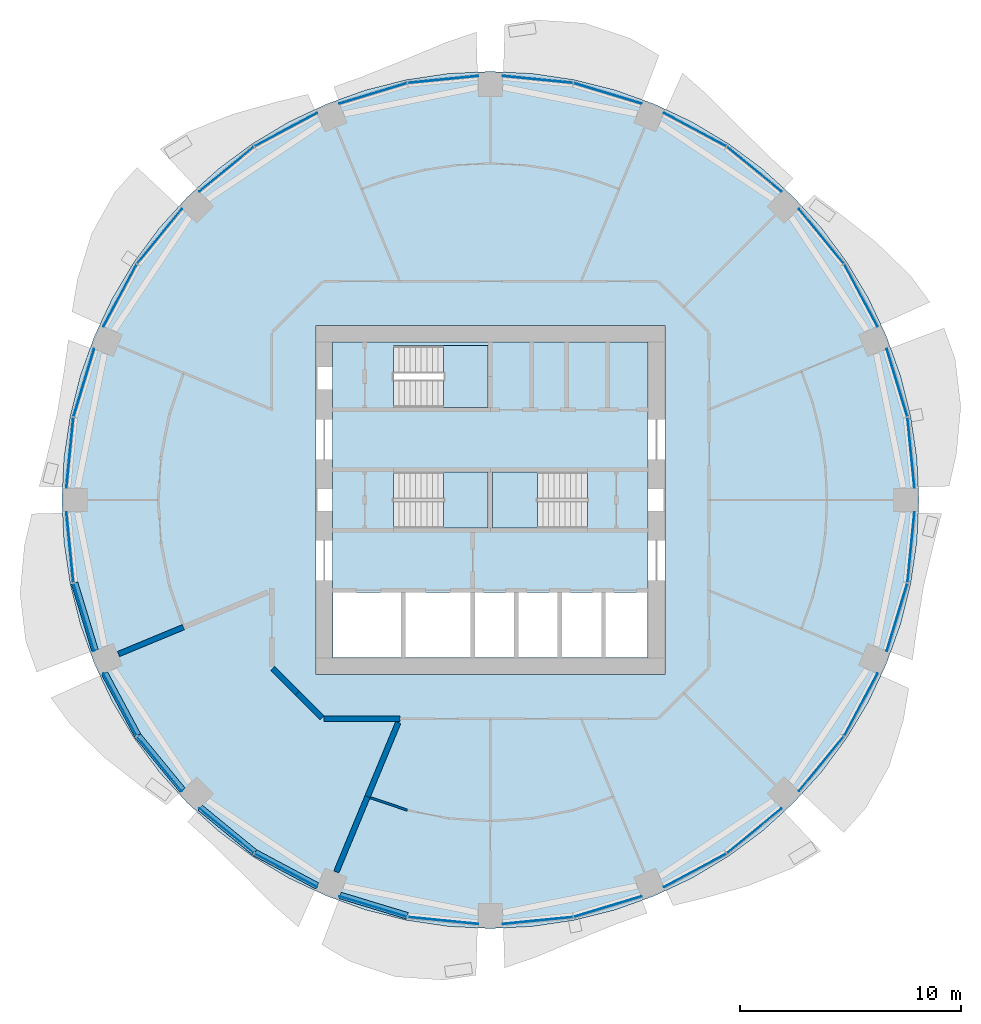
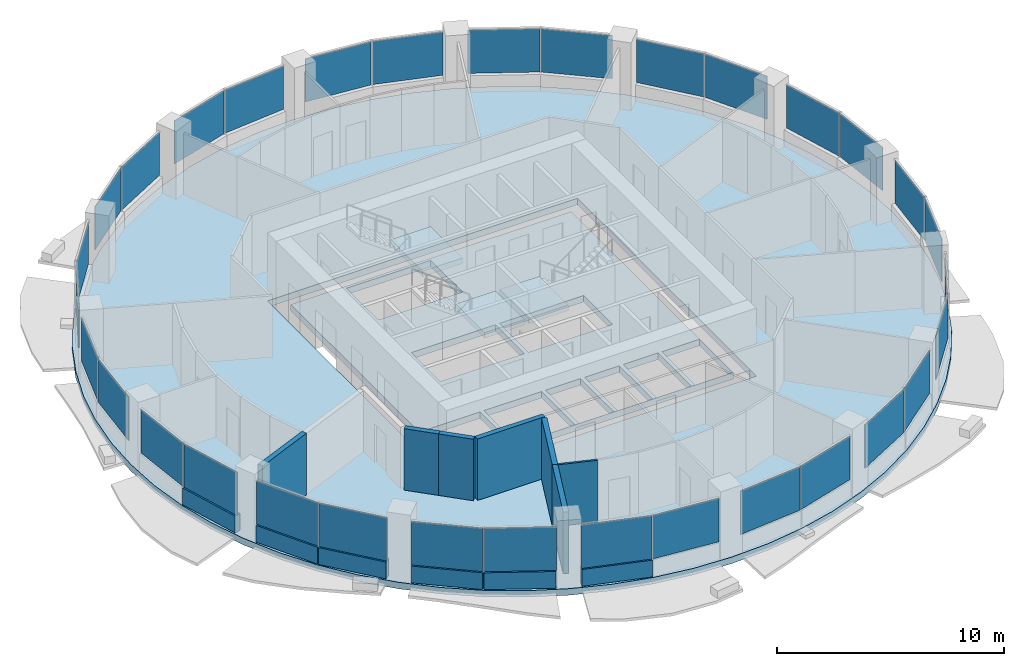
# One storey, part 7 of 15: 32 plates, 13 walls, 5 slabs, 19 elements without a shape of their own.
"""IFC4 building model written with IfcOpenShell, lengths in metres."""

import ifcopenshell
import ifcopenshell.guid

model = None  # the IFC model being written
_history = None  # IfcOwnerHistory: only IFC2X3 demands one
_inside = {}  # id of a spatial element -> (the spatial element, [elements in it])
_under = {}  # id of a project, library or spatial element -> (it, [spatial elements below it])
_declared = {}  # id of a project -> (the project, [libraries it declares])
_typed = {}  # id of a type object -> (the type object, [elements of that type])
_made_of = {}  # id of a material, layer set ... -> (it, [elements and type objects made of it])


def new_model(schema):
    """Start an empty IFC model of exactly this schema.

    Asked for "IFC4X3", IfcOpenShell would pick the latest addendum, in which some entities
    have other attributes; the version numbers below select the first issue.
    IFC2X3 requires an IfcOwnerHistory on every rooted entity: one is made here for all.
    """
    global model, _history
    if schema == "IFC4X3":
        model = ifcopenshell.file(schema_version=(4, 3, 0, 0))
    else:
        model = ifcopenshell.file(schema=schema)
    _inside.clear()
    _under.clear()
    _declared.clear()
    _typed.clear()
    _made_of.clear()
    _history = None
    if model.schema == "IFC2X3":
        org = make("IfcOrganization", Name="unknown")
        user = make(
            "IfcPersonAndOrganization",
            ThePerson=make("IfcPerson", FamilyName="unknown"),
            TheOrganization=org,
        )
        app = make(
            "IfcApplication",
            ApplicationDeveloper=org,
            Version="unknown",
            ApplicationFullName="unknown",
            ApplicationIdentifier="unknown",
        )
        _history = make(
            "IfcOwnerHistory",
            OwningUser=user,
            OwningApplication=app,
            ChangeAction="ADDED",
            CreationDate=0,
        )
    return model


def make(cls, **values):
    """One entity of the class cls with the attributes given. An attribute that is None is left unset."""
    return model.create_entity(
        cls, **{name: value for name, value in values.items() if value is not None}
    )


def rooted(cls, **values):
    """An entity with a GlobalId (a new one), such as an element, a storey or a relation."""
    return make(cls, GlobalId=ifcopenshell.guid.new(), OwnerHistory=_history, **values)


def si_unit(unit_type, name, prefix=None):
    """IfcSIUnit, for example si_unit("LENGTHUNIT", "METRE", prefix="MILLI")."""
    return make("IfcSIUnit", UnitType=unit_type, Prefix=prefix, Name=name)


def assignment(units):
    """IfcUnitAssignment: the units of a project."""
    return None if units is None else make("IfcUnitAssignment", Units=units)


def point(xyz):
    """IfcCartesianPoint."""
    return None if xyz is None else make("IfcCartesianPoint", Coordinates=xyz)


def direction(xyz):
    """IfcDirection."""
    return None if xyz is None else make("IfcDirection", DirectionRatios=xyz)


def frame(location, z_axis=None, x_axis=None):
    """IfcAxis2Placement3D, a coordinate frame: its origin and axes. An axis left out is left unset."""
    return make(
        "IfcAxis2Placement3D",
        Location=point(location),
        Axis=direction(z_axis),
        RefDirection=direction(x_axis),
    )


def frame_2d(location, x_axis=None):
    """IfcAxis2Placement2D, a coordinate frame in the plane: its origin and x axis."""
    return make(
        "IfcAxis2Placement2D", Location=point(location), RefDirection=direction(x_axis)
    )


def origin():
    """The frame at (0, 0, 0) with its axes left unset."""
    return frame((0.0, 0.0, 0.0))


def origin_2d():
    """The frame at (0, 0) in the plane with its x axis left unset."""
    return frame_2d((0.0, 0.0))


def place(relative_to, where):
    """IfcLocalPlacement: puts the frame where relative to a parent placement (None: the world)."""
    return make(
        "IfcLocalPlacement", PlacementRelTo=relative_to, RelativePlacement=where
    )


def context(
    kind, dimensions, precision=None, world=None, true_north=None, identifier=None
):
    """IfcGeometricRepresentationContext, for example the 3D "Model" context."""
    return make(
        "IfcGeometricRepresentationContext",
        ContextIdentifier=identifier,
        ContextType=kind,
        CoordinateSpaceDimension=dimensions,
        Precision=precision,
        WorldCoordinateSystem=world,
        TrueNorth=true_north,
    )


def subcontext(parent, identifier, kind, view, scale=None):
    """IfcGeometricRepresentationSubContext, for example "Body" below "Model"."""
    return make(
        "IfcGeometricRepresentationSubContext",
        ContextIdentifier=identifier,
        ContextType=kind,
        ParentContext=parent,
        TargetScale=scale,
        TargetView=view,
    )


def project(units=None, contexts=None):
    """IfcProject with its units and contexts."""
    return rooted(
        "IfcProject",
        Name="project",
        RepresentationContexts=contexts,
        UnitsInContext=assignment(units),
    )


def spatial(cls, under=None, at=None, **own):
    """A site, building, storey or space (cls), placed at a placement, below another one or the project."""
    s = rooted(cls, ObjectPlacement=at, **own)
    if under is not None:
        _under.setdefault(under.id(), (under, []))[1].append(s)
    return s


def polyline(points):
    """IfcPolyline through the points."""
    return make("IfcPolyline", Points=[point(p) for p in points])


def profile(cls, at=None, kind="AREA", **sizes):
    """A parametric profile (cls). Its sizes go by their IFC names, for example OverallWidth=200.0."""
    return make(cls, ProfileType=kind, Position=at, **sizes)


def rectangle(**sizes):
    """IfcRectangleProfileDef."""
    return profile("IfcRectangleProfileDef", **sizes)


def outline(outer, holes=None, kind="AREA"):
    """IfcArbitraryClosedProfileDef: a profile drawn as a closed curve; with holes, ...WithVoids."""
    if holes is None:
        return make("IfcArbitraryClosedProfileDef", ProfileType=kind, OuterCurve=outer)
    return make(
        "IfcArbitraryProfileDefWithVoids",
        ProfileType=kind,
        OuterCurve=outer,
        InnerCurves=holes,
    )


def extrude(swept, where, along, depth):
    """IfcExtrudedAreaSolid: the profile swept, set in the frame where, extruded along a direction by depth."""
    return make(
        "IfcExtrudedAreaSolid",
        SweptArea=swept,
        Position=where,
        ExtrudedDirection=direction(along),
        Depth=depth,
    )


def shape(context_of_items, identifier, shape_type, items):
    """IfcShapeRepresentation: the items that make up one representation, for example the "Body"."""
    return make(
        "IfcShapeRepresentation",
        ContextOfItems=context_of_items,
        RepresentationIdentifier=identifier,
        RepresentationType=shape_type,
        Items=items,
    )


def material(Name=None, Category=None):
    """IfcMaterial."""
    return make("IfcMaterial", Name=Name, Category=Category)


def layer(
    of_material, thickness, ventilated=None, Name=None, Category=None, Priority=None
):
    """IfcMaterialLayer: one layer of a wall or slab, of a material (None: an air gap)."""
    return make(
        "IfcMaterialLayer",
        Material=of_material,
        LayerThickness=thickness,
        IsVentilated=ventilated,
        Name=Name,
        Category=Category,
        Priority=Priority,
    )


def layer_set(layers, Name=None):
    """IfcMaterialLayerSet."""
    return make("IfcMaterialLayerSet", MaterialLayers=layers, LayerSetName=Name)


def made_of(thing, what):
    """Note that an element or type object is made of a material, layer set ...; save() writes the relation."""
    if what is not None:
        _made_of.setdefault(what.id(), (what, []))[1].append(thing)
    return thing


def type_object(cls, material=None, **own):
    """A type object (cls), such as IfcWallType, which elements share."""
    return made_of(rooted(cls, **own), material)


def element(
    cls,
    number,
    at=None,
    inside=None,
    cuts=None,
    type_object=None,
    material=None,
    context=None,
    identifier="Body",
    shape_type=None,
    held_by="IfcProductDefinitionShape",
    body=None,
    shapes=None,
    **own,
):
    """One element of the class cls, such as IfcWall. Its Tag is "e" and its number.

    at: its placement. inside: the storey or other place that contains it. cuts: it is an
    opening in that element (IfcRelVoidsElement). A single representation is given by context,
    identifier, shape_type and body (its items); several are given by shapes. held_by: the class
    of the entity that holds the representations. save() writes the other relations.
    """
    e = rooted(cls, Tag="e%d" % number, ObjectPlacement=at, **own)
    if body is not None:
        shapes = [shape(context, identifier, shape_type, body)]
    if shapes is not None:
        e.Representation = make(held_by, Representations=shapes)
    if inside is not None:
        _inside.setdefault(inside.id(), (inside, []))[1].append(e)
    if cuts is not None:
        rooted(
            "IfcRelVoidsElement", RelatingBuildingElement=cuts, RelatedOpeningElement=e
        )
    if type_object is not None:
        _typed.setdefault(type_object.id(), (type_object, []))[1].append(e)
    return made_of(e, material)


def aggregate(whole, parts):
    """IfcRelAggregates: a whole, such as a stair, and the parts it consists of."""
    return rooted("IfcRelAggregates", RelatingObject=whole, RelatedObjects=parts)


def save(model, path):
    """Write the relations noted so far, then the file.

    IfcRelAggregates (storeys below a building ...), IfcRelContainedInSpatialStructure (elements
    in a storey), IfcRelDefinesByType, IfcRelAssociatesMaterial and IfcRelDeclares: one each for
    every whole, place, type object, material and project.
    """
    for whole, parts in _under.values():
        aggregate(whole, parts)
    for where, things in _inside.values():
        rooted(
            "IfcRelContainedInSpatialStructure",
            RelatedElements=things,
            RelatingStructure=where,
        )
    for kind, things in _typed.values():
        rooted("IfcRelDefinesByType", RelatedObjects=things, RelatingType=kind)
    for what, things in _made_of.values():
        rooted("IfcRelAssociatesMaterial", RelatedObjects=things, RelatingMaterial=what)
    for by, libraries in _declared.values():
        rooted("IfcRelDeclares", RelatingContext=by, RelatedDefinitions=libraries)
    model.write(path)


model = new_model("IFC4")

# Units and contexts
model_context = context("Model", 3, precision=1e-05, world=origin(), true_north=direction((0.0, 1.0)))
body_context = subcontext(model_context, "Body", "Model", "MODEL_VIEW")
ifc_project = project(units=[si_unit("LENGTHUNIT", "METRE"), si_unit("AREAUNIT", "SQUARE_METRE"), si_unit("VOLUMEUNIT", "CUBIC_METRE"), si_unit("PLANEANGLEUNIT", "RADIAN"), si_unit("MASSUNIT", "GRAM", prefix="KILO")], contexts=[model_context])

# Site, building, storey
site_placement = place(None, origin())
site = spatial("IfcSite", under=ifc_project, at=site_placement, CompositionType="ELEMENT")
building_placement = place(site_placement, origin())
building = spatial("IfcBuilding", under=site, at=building_placement, Name="Polderwave Tower", CompositionType="ELEMENT")
storey_placement = place(building_placement, frame((0.0, 0.0, 83.699951171875)))
storey = spatial("IfcBuildingStorey", under=building, at=storey_placement, Name="L21", CompositionType="ELEMENT", Elevation=83.699951171875)

# Slab
ifc_material_1 = material(Name="Concrete C40/50", Category="concrete")
ifc_layer_1 = layer(ifc_material_1, 0.35009765625)
ifc_layer_set_1 = layer_set([ifc_layer_1], Name="Core floor slab 350")
slab_type_1 = type_object("IfcSlabType", Name="Core floor slab 350", PredefinedType="FLOOR", material=ifc_layer_set_1)
slab_1_placement = place(storey_placement, frame((0.0, 0.0, -0.349853515625)))
element("IfcSlab", 1, at=slab_1_placement, inside=storey, type_object=slab_type_1, Name="L21 core floor", PredefinedType="FLOOR", context=body_context, shape_type="SweptSolid", body=[
    extrude(outline(polyline([(-7.1240234375, -7.1240234375), (7.1240234375, -7.1240234375), (7.1240234375, 7.1240234375), (-7.1240234375, 7.1240234375), (-7.1240234375, -7.1240234375)]), holes=[polyline([(-7.10400390625, -7.10400390625), (-4.037109375, -7.10400390625), (-4.037109375, -4.174072265625), (-7.10400390625, -4.174072265625), (-7.10400390625, -7.10400390625)]), polyline([(-3.8369140625, -7.10400390625), (-0.89990234375, -7.10400390625), (-0.89990234375, -4.174072265625), (-3.8369140625, -4.174072265625), (-3.8369140625, -7.10400390625)]), polyline([(-0.699951171875, -7.10400390625), (1.068603515625, -7.10400390625), (1.068603515625, -4.174072265625), (-0.699951171875, -4.174072265625), (-0.699951171875, -7.10400390625)]), polyline([(1.2685546875, -7.10400390625), (3.037109375, -7.10400390625), (3.037109375, -4.174072265625), (1.2685546875, -4.174072265625), (1.2685546875, -7.10400390625)]), polyline([(3.237060546875, -7.10400390625), (5.005615234375, -7.10400390625), (5.005615234375, -4.174072265625), (3.237060546875, -4.174072265625), (3.237060546875, -7.10400390625)]), polyline([(5.20556640625, -7.10400390625), (7.10400390625, -7.10400390625), (7.10400390625, -4.174072265625), (5.20556640625, -4.174072265625), (5.20556640625, -7.10400390625)]), polyline([(-4.37353515625, -1.2744140625), (-0.1005859375, -1.2744140625), (-0.1005859375, 1.2744140625), (-4.37353515625, 1.2744140625), (-4.37353515625, -1.2744140625)]), polyline([(0.1005859375, -1.2744140625), (4.37353515625, -1.2744140625), (4.37353515625, 1.2744140625), (0.1005859375, 1.2744140625), (0.1005859375, -1.2744140625)]), polyline([(-4.37353515625, 4.174560546875), (-0.1005859375, 4.174560546875), (-0.1005859375, 6.973388671875), (-4.37353515625, 6.973388671875), (-4.37353515625, 4.174560546875)])]), origin(), (0.0, 0.0, 1.0), 0.349853515625),
])

# Curtain wall, plates
ifc_material_2 = material(Name="Aluminium 6063-T6 and glass", Category="aluminium")
curtain_wall_type = type_object("IfcCurtainWallType", Name="Growing floor ribbon glazing wall", PredefinedType="NOTDEFINED", material=ifc_material_2)
curtain_wall_1_placement = place(storey_placement, origin())
curtain_wall_1 = element("IfcCurtainWall", 2, at=curtain_wall_1_placement, inside=storey, type_object=curtain_wall_type, Name="CW2 L21 00", PredefinedType="NOTDEFINED")
ifc_material_3 = material(Name="Glass, low-e laminated double glazing", Category="glass")
ifc_layer_2 = layer(ifc_material_3, 0.028076171875)
ifc_layer_set_2 = layer_set([ifc_layer_2], Name="Growing floor ribbon glazing glass panel 28 mm")
plate_type = type_object("IfcPlateType", Name="Growing floor ribbon glazing glass panel 28 mm", PredefinedType="CURTAIN_PANEL", material=ifc_layer_set_2)
plate_1_placement = place(storey_placement, frame((18.989990234375, 2.133056640625, 0.89990234375), z_axis=(0.0, 0.0, 1.0), x_axis=(-0.098084880178, 0.995178052552, 0.0)))
plate_1 = element("IfcPlate", 3, at=plate_1_placement, type_object=plate_type, Name="CW2 panel 1", PredefinedType="CURTAIN_PANEL", context=body_context, shape_type="SweptSolid", body=[
    extrude(rectangle(XDim=3.181396484375, YDim=0.028076171875, at=origin_2d()), origin(), (0.0, 0.0, 1.0), 2.320068359375),
])
plate_2_placement = place(storey_placement, frame((18.360595703125, 5.296875, 0.89990234375), z_axis=(0.0, 0.0, 1.0), x_axis=(-0.290232901375, 0.956956040244, 0.0)))
plate_2 = element("IfcPlate", 4, at=plate_2_placement, type_object=plate_type, Name="CW2 panel 2", PredefinedType="CURTAIN_PANEL", context=body_context, shape_type="SweptSolid", body=[
    extrude(rectangle(XDim=3.18115234375, YDim=0.028076171875, at=origin_2d()), origin(), (0.0, 0.0, 1.0), 2.320068359375),
])
aggregate(curtain_wall_1, [plate_1, plate_2])

curtain_wall_2_placement = place(storey_placement, origin())
curtain_wall_2 = element("IfcCurtainWall", 5, at=curtain_wall_2_placement, inside=storey, type_object=curtain_wall_type, Name="CW2 L21 01", PredefinedType="NOTDEFINED")
plate_3_placement = place(storey_placement, frame((16.72802734375, 9.23779296875, 0.89990234375), z_axis=(0.0, 0.0, 1.0), x_axis=(-0.471461383765, 0.881886706793, 0.0)))
plate_3 = element("IfcPlate", 6, at=plate_3_placement, type_object=plate_type, Name="CW2 panel 1", PredefinedType="CURTAIN_PANEL", context=body_context, shape_type="SweptSolid", body=[
    extrude(rectangle(XDim=3.181396484375, YDim=0.028076171875, at=origin_2d()), origin(), (0.0, 0.0, 1.0), 2.320068359375),
])
plate_4_placement = place(storey_placement, frame((14.93603515625, 11.919677734375, 0.89990234375), z_axis=(0.0, 0.0, 1.0), x_axis=(-0.634406775645, 0.772999380993, 0.0)))
plate_4 = element("IfcPlate", 7, at=plate_4_placement, type_object=plate_type, Name="CW2 panel 2", PredefinedType="CURTAIN_PANEL", context=body_context, shape_type="SweptSolid", body=[
    extrude(rectangle(XDim=3.180908203125, YDim=0.028076171875, at=origin_2d()), origin(), (0.0, 0.0, 1.0), 2.320068359375),
])
aggregate(curtain_wall_2, [plate_3, plate_4])

curtain_wall_3_placement = place(storey_placement, origin())
curtain_wall_3 = element("IfcCurtainWall", 8, at=curtain_wall_3_placement, inside=storey, type_object=curtain_wall_type, Name="CW2 L21 02", PredefinedType="NOTDEFINED")
plate_5_placement = place(storey_placement, frame((11.919677734375, 14.93603515625, 0.89990234375), z_axis=(0.0, 0.0, 1.0), x_axis=(-0.772999380993, 0.634406775645, 0.0)))
plate_5 = element("IfcPlate", 9, at=plate_5_placement, type_object=plate_type, Name="CW2 panel 1", PredefinedType="CURTAIN_PANEL", context=body_context, shape_type="SweptSolid", body=[
    extrude(rectangle(XDim=3.180908203125, YDim=0.028076171875, at=origin_2d()), origin(), (0.0, 0.0, 1.0), 2.320068359375),
])
plate_6_placement = place(storey_placement, frame((9.23779296875, 16.72802734375, 0.89990234375), z_axis=(0.0, 0.0, 1.0), x_axis=(-0.881886706793, 0.471461383765, 0.0)))
plate_6 = element("IfcPlate", 10, at=plate_6_placement, type_object=plate_type, Name="CW2 panel 2", PredefinedType="CURTAIN_PANEL", context=body_context, shape_type="SweptSolid", body=[
    extrude(rectangle(XDim=3.181396484375, YDim=0.028076171875, at=origin_2d()), origin(), (0.0, 0.0, 1.0), 2.320068359375),
])
aggregate(curtain_wall_3, [plate_5, plate_6])

curtain_wall_4_placement = place(storey_placement, origin())
curtain_wall_4 = element("IfcCurtainWall", 11, at=curtain_wall_4_placement, inside=storey, type_object=curtain_wall_type, Name="CW2 L21 03", PredefinedType="NOTDEFINED")
plate_7_placement = place(storey_placement, frame((5.296875, 18.360595703125, 0.89990234375), z_axis=(0.0, 0.0, 1.0), x_axis=(-0.956956040244, 0.290232901375, 0.0)))
plate_7 = element("IfcPlate", 12, at=plate_7_placement, type_object=plate_type, Name="CW2 panel 1", PredefinedType="CURTAIN_PANEL", context=body_context, shape_type="SweptSolid", body=[
    extrude(rectangle(XDim=3.18115234375, YDim=0.028076171875, at=origin_2d()), origin(), (0.0, 0.0, 1.0), 2.320068359375),
])
plate_8_placement = place(storey_placement, frame((2.133056640625, 18.989990234375, 0.89990234375), z_axis=(0.0, 0.0, 1.0), x_axis=(-0.995178052552, 0.098084880178, 0.0)))
plate_8 = element("IfcPlate", 13, at=plate_8_placement, type_object=plate_type, Name="CW2 panel 2", PredefinedType="CURTAIN_PANEL", context=body_context, shape_type="SweptSolid", body=[
    extrude(rectangle(XDim=3.181396484375, YDim=0.028076171875, at=origin_2d()), origin(), (0.0, 0.0, 1.0), 2.320068359375),
])
aggregate(curtain_wall_4, [plate_7, plate_8])

curtain_wall_5_placement = place(storey_placement, origin())
curtain_wall_5 = element("IfcCurtainWall", 14, at=curtain_wall_5_placement, inside=storey, type_object=curtain_wall_type, Name="CW2 L21 04", PredefinedType="NOTDEFINED")
plate_9_placement = place(storey_placement, frame((-2.133056640625, 18.989990234375, 0.89990234375), z_axis=(0.0, 0.0, 1.0), x_axis=(-0.995178052552, -0.098084880178, 0.0)))
plate_9 = element("IfcPlate", 15, at=plate_9_placement, type_object=plate_type, Name="CW2 panel 1", PredefinedType="CURTAIN_PANEL", context=body_context, shape_type="SweptSolid", body=[
    extrude(rectangle(XDim=3.181396484375, YDim=0.028076171875, at=origin_2d()), origin(), (0.0, 0.0, 1.0), 2.320068359375),
])
plate_10_placement = place(storey_placement, frame((-5.296875, 18.360595703125, 0.89990234375), z_axis=(0.0, 0.0, 1.0), x_axis=(-0.956956040244, -0.290232901375, 0.0)))
plate_10 = element("IfcPlate", 16, at=plate_10_placement, type_object=plate_type, Name="CW2 panel 2", PredefinedType="CURTAIN_PANEL", context=body_context, shape_type="SweptSolid", body=[
    extrude(rectangle(XDim=3.18115234375, YDim=0.028076171875, at=origin_2d()), origin(), (0.0, 0.0, 1.0), 2.320068359375),
])
aggregate(curtain_wall_5, [plate_9, plate_10])

curtain_wall_6_placement = place(storey_placement, origin())
curtain_wall_6 = element("IfcCurtainWall", 17, at=curtain_wall_6_placement, inside=storey, type_object=curtain_wall_type, Name="CW2 L21 05", PredefinedType="NOTDEFINED")
plate_11_placement = place(storey_placement, frame((-9.23779296875, 16.72802734375, 0.89990234375), z_axis=(0.0, 0.0, 1.0), x_axis=(-0.881886706793, -0.471461383765, 0.0)))
plate_11 = element("IfcPlate", 18, at=plate_11_placement, type_object=plate_type, Name="CW2 panel 1", PredefinedType="CURTAIN_PANEL", context=body_context, shape_type="SweptSolid", body=[
    extrude(rectangle(XDim=3.181396484375, YDim=0.028076171875, at=origin_2d()), origin(), (0.0, 0.0, 1.0), 2.320068359375),
])
plate_12_placement = place(storey_placement, frame((-11.919677734375, 14.93603515625, 0.89990234375), z_axis=(0.0, 0.0, 1.0), x_axis=(-0.772999380993, -0.634406775645, 0.0)))
plate_12 = element("IfcPlate", 19, at=plate_12_placement, type_object=plate_type, Name="CW2 panel 2", PredefinedType="CURTAIN_PANEL", context=body_context, shape_type="SweptSolid", body=[
    extrude(rectangle(XDim=3.180908203125, YDim=0.028076171875, at=origin_2d()), origin(), (0.0, 0.0, 1.0), 2.320068359375),
])
aggregate(curtain_wall_6, [plate_11, plate_12])

curtain_wall_7_placement = place(storey_placement, origin())
curtain_wall_7 = element("IfcCurtainWall", 20, at=curtain_wall_7_placement, inside=storey, type_object=curtain_wall_type, Name="CW2 L21 06", PredefinedType="NOTDEFINED")
plate_13_placement = place(storey_placement, frame((-14.93603515625, 11.919677734375, 0.89990234375), z_axis=(0.0, 0.0, 1.0), x_axis=(-0.634406775645, -0.772999380993, 0.0)))
plate_13 = element("IfcPlate", 21, at=plate_13_placement, type_object=plate_type, Name="CW2 panel 1", PredefinedType="CURTAIN_PANEL", context=body_context, shape_type="SweptSolid", body=[
    extrude(rectangle(XDim=3.180908203125, YDim=0.028076171875, at=origin_2d()), origin(), (0.0, 0.0, 1.0), 2.320068359375),
])
plate_14_placement = place(storey_placement, frame((-16.72802734375, 9.23779296875, 0.89990234375), z_axis=(0.0, 0.0, 1.0), x_axis=(-0.471461383765, -0.881886706793, 0.0)))
plate_14 = element("IfcPlate", 22, at=plate_14_placement, type_object=plate_type, Name="CW2 panel 2", PredefinedType="CURTAIN_PANEL", context=body_context, shape_type="SweptSolid", body=[
    extrude(rectangle(XDim=3.181396484375, YDim=0.028076171875, at=origin_2d()), origin(), (0.0, 0.0, 1.0), 2.320068359375),
])
aggregate(curtain_wall_7, [plate_13, plate_14])

curtain_wall_8_placement = place(storey_placement, origin())
curtain_wall_8 = element("IfcCurtainWall", 23, at=curtain_wall_8_placement, inside=storey, type_object=curtain_wall_type, Name="CW2 L21 07", PredefinedType="NOTDEFINED")
plate_15_placement = place(storey_placement, frame((-18.360595703125, 5.296875, 0.89990234375), z_axis=(0.0, 0.0, 1.0), x_axis=(-0.290232901375, -0.956956040244, 0.0)))
plate_15 = element("IfcPlate", 24, at=plate_15_placement, type_object=plate_type, Name="CW2 panel 1", PredefinedType="CURTAIN_PANEL", context=body_context, shape_type="SweptSolid", body=[
    extrude(rectangle(XDim=3.18115234375, YDim=0.028076171875, at=origin_2d()), origin(), (0.0, 0.0, 1.0), 2.320068359375),
])
plate_16_placement = place(storey_placement, frame((-18.989990234375, 2.133056640625, 0.89990234375), z_axis=(0.0, 0.0, 1.0), x_axis=(-0.098084880178, -0.995178052552, 0.0)))
plate_16 = element("IfcPlate", 25, at=plate_16_placement, type_object=plate_type, Name="CW2 panel 2", PredefinedType="CURTAIN_PANEL", context=body_context, shape_type="SweptSolid", body=[
    extrude(rectangle(XDim=3.181396484375, YDim=0.028076171875, at=origin_2d()), origin(), (0.0, 0.0, 1.0), 2.320068359375),
])
aggregate(curtain_wall_8, [plate_15, plate_16])

curtain_wall_9_placement = place(storey_placement, origin())
curtain_wall_9 = element("IfcCurtainWall", 26, at=curtain_wall_9_placement, inside=storey, type_object=curtain_wall_type, Name="CW2 L21 08", PredefinedType="NOTDEFINED")
plate_17_placement = place(storey_placement, frame((-18.989990234375, -2.133056640625, 0.89990234375), z_axis=(0.0, 0.0, 1.0), x_axis=(0.098084880178, -0.995178052552, 0.0)))
plate_17 = element("IfcPlate", 27, at=plate_17_placement, type_object=plate_type, Name="CW2 panel 1", PredefinedType="CURTAIN_PANEL", context=body_context, shape_type="SweptSolid", body=[
    extrude(rectangle(XDim=3.181396484375, YDim=0.028076171875, at=origin_2d()), origin(), (0.0, 0.0, 1.0), 2.320068359375),
])
plate_18_placement = place(storey_placement, frame((-18.360595703125, -5.296875, 0.89990234375), z_axis=(0.0, 0.0, 1.0), x_axis=(0.290232901375, -0.956956040244, 0.0)))
plate_18 = element("IfcPlate", 28, at=plate_18_placement, type_object=plate_type, Name="CW2 panel 2", PredefinedType="CURTAIN_PANEL", context=body_context, shape_type="SweptSolid", body=[
    extrude(rectangle(XDim=3.18115234375, YDim=0.028076171875, at=origin_2d()), origin(), (0.0, 0.0, 1.0), 2.320068359375),
])
aggregate(curtain_wall_9, [plate_17, plate_18])

curtain_wall_10_placement = place(storey_placement, origin())
curtain_wall_10 = element("IfcCurtainWall", 29, at=curtain_wall_10_placement, inside=storey, type_object=curtain_wall_type, Name="CW2 L21 09", PredefinedType="NOTDEFINED")
plate_19_placement = place(storey_placement, frame((-16.72802734375, -9.23779296875, 0.89990234375), z_axis=(0.0, 0.0, 1.0), x_axis=(0.471461383765, -0.881886706793, 0.0)))
plate_19 = element("IfcPlate", 30, at=plate_19_placement, type_object=plate_type, Name="CW2 panel 1", PredefinedType="CURTAIN_PANEL", context=body_context, shape_type="SweptSolid", body=[
    extrude(rectangle(XDim=3.181396484375, YDim=0.028076171875, at=origin_2d()), origin(), (0.0, 0.0, 1.0), 2.320068359375),
])
plate_20_placement = place(storey_placement, frame((-14.93603515625, -11.919677734375, 0.89990234375), z_axis=(0.0, 0.0, 1.0), x_axis=(0.634406775645, -0.772999380993, 0.0)))
plate_20 = element("IfcPlate", 31, at=plate_20_placement, type_object=plate_type, Name="CW2 panel 2", PredefinedType="CURTAIN_PANEL", context=body_context, shape_type="SweptSolid", body=[
    extrude(rectangle(XDim=3.180908203125, YDim=0.028076171875, at=origin_2d()), origin(), (0.0, 0.0, 1.0), 2.320068359375),
])
aggregate(curtain_wall_10, [plate_19, plate_20])

curtain_wall_11_placement = place(storey_placement, origin())
curtain_wall_11 = element("IfcCurtainWall", 32, at=curtain_wall_11_placement, inside=storey, type_object=curtain_wall_type, Name="CW2 L21 10", PredefinedType="NOTDEFINED")
plate_21_placement = place(storey_placement, frame((-11.919677734375, -14.93603515625, 0.89990234375), z_axis=(0.0, 0.0, 1.0), x_axis=(0.772999380993, -0.634406775645, 0.0)))
plate_21 = element("IfcPlate", 33, at=plate_21_placement, type_object=plate_type, Name="CW2 panel 1", PredefinedType="CURTAIN_PANEL", context=body_context, shape_type="SweptSolid", body=[
    extrude(rectangle(XDim=3.180908203125, YDim=0.028076171875, at=origin_2d()), origin(), (0.0, 0.0, 1.0), 2.320068359375),
])
plate_22_placement = place(storey_placement, frame((-9.23779296875, -16.72802734375, 0.89990234375), z_axis=(0.0, 0.0, 1.0), x_axis=(0.881886706793, -0.471461383765, 0.0)))
plate_22 = element("IfcPlate", 34, at=plate_22_placement, type_object=plate_type, Name="CW2 panel 2", PredefinedType="CURTAIN_PANEL", context=body_context, shape_type="SweptSolid", body=[
    extrude(rectangle(XDim=3.181396484375, YDim=0.028076171875, at=origin_2d()), origin(), (0.0, 0.0, 1.0), 2.320068359375),
])
aggregate(curtain_wall_11, [plate_21, plate_22])

curtain_wall_12_placement = place(storey_placement, origin())
curtain_wall_12 = element("IfcCurtainWall", 35, at=curtain_wall_12_placement, inside=storey, type_object=curtain_wall_type, Name="CW2 L21 11", PredefinedType="NOTDEFINED")
plate_23_placement = place(storey_placement, frame((-5.296875, -18.360595703125, 0.89990234375), z_axis=(0.0, 0.0, 1.0), x_axis=(0.956956040244, -0.290232901375, 0.0)))
plate_23 = element("IfcPlate", 36, at=plate_23_placement, type_object=plate_type, Name="CW2 panel 1", PredefinedType="CURTAIN_PANEL", context=body_context, shape_type="SweptSolid", body=[
    extrude(rectangle(XDim=3.18115234375, YDim=0.028076171875, at=origin_2d()), origin(), (0.0, 0.0, 1.0), 2.320068359375),
])
plate_24_placement = place(storey_placement, frame((-2.133056640625, -18.989990234375, 0.89990234375), z_axis=(0.0, 0.0, 1.0), x_axis=(0.995178052552, -0.098084880178, 0.0)))
plate_24 = element("IfcPlate", 37, at=plate_24_placement, type_object=plate_type, Name="CW2 panel 2", PredefinedType="CURTAIN_PANEL", context=body_context, shape_type="SweptSolid", body=[
    extrude(rectangle(XDim=3.181396484375, YDim=0.028076171875, at=origin_2d()), origin(), (0.0, 0.0, 1.0), 2.320068359375),
])
aggregate(curtain_wall_12, [plate_23, plate_24])

curtain_wall_13_placement = place(storey_placement, origin())
curtain_wall_13 = element("IfcCurtainWall", 38, at=curtain_wall_13_placement, inside=storey, type_object=curtain_wall_type, Name="CW2 L21 12", PredefinedType="NOTDEFINED")
plate_25_placement = place(storey_placement, frame((2.133056640625, -18.989990234375, 0.89990234375), z_axis=(0.0, 0.0, 1.0), x_axis=(0.995178052552, 0.098084880178, 0.0)))
plate_25 = element("IfcPlate", 39, at=plate_25_placement, type_object=plate_type, Name="CW2 panel 1", PredefinedType="CURTAIN_PANEL", context=body_context, shape_type="SweptSolid", body=[
    extrude(rectangle(XDim=3.181396484375, YDim=0.028076171875, at=origin_2d()), origin(), (0.0, 0.0, 1.0), 2.320068359375),
])
plate_26_placement = place(storey_placement, frame((5.296875, -18.360595703125, 0.89990234375), z_axis=(0.0, 0.0, 1.0), x_axis=(0.956956040244, 0.290232901375, 0.0)))
plate_26 = element("IfcPlate", 40, at=plate_26_placement, type_object=plate_type, Name="CW2 panel 2", PredefinedType="CURTAIN_PANEL", context=body_context, shape_type="SweptSolid", body=[
    extrude(rectangle(XDim=3.18115234375, YDim=0.028076171875, at=origin_2d()), origin(), (0.0, 0.0, 1.0), 2.320068359375),
])
aggregate(curtain_wall_13, [plate_25, plate_26])

curtain_wall_14_placement = place(storey_placement, origin())
curtain_wall_14 = element("IfcCurtainWall", 41, at=curtain_wall_14_placement, inside=storey, type_object=curtain_wall_type, Name="CW2 L21 13", PredefinedType="NOTDEFINED")
plate_27_placement = place(storey_placement, frame((9.23779296875, -16.72802734375, 0.89990234375), z_axis=(0.0, 0.0, 1.0), x_axis=(0.881886706793, 0.471461383765, 0.0)))
plate_27 = element("IfcPlate", 42, at=plate_27_placement, type_object=plate_type, Name="CW2 panel 1", PredefinedType="CURTAIN_PANEL", context=body_context, shape_type="SweptSolid", body=[
    extrude(rectangle(XDim=3.181396484375, YDim=0.028076171875, at=origin_2d()), origin(), (0.0, 0.0, 1.0), 2.320068359375),
])
plate_28_placement = place(storey_placement, frame((11.919677734375, -14.93603515625, 0.89990234375), z_axis=(0.0, 0.0, 1.0), x_axis=(0.772999380993, 0.634406775645, 0.0)))
plate_28 = element("IfcPlate", 43, at=plate_28_placement, type_object=plate_type, Name="CW2 panel 2", PredefinedType="CURTAIN_PANEL", context=body_context, shape_type="SweptSolid", body=[
    extrude(rectangle(XDim=3.180908203125, YDim=0.028076171875, at=origin_2d()), origin(), (0.0, 0.0, 1.0), 2.320068359375),
])
aggregate(curtain_wall_14, [plate_27, plate_28])

curtain_wall_15_placement = place(storey_placement, origin())
curtain_wall_15 = element("IfcCurtainWall", 44, at=curtain_wall_15_placement, inside=storey, type_object=curtain_wall_type, Name="CW2 L21 14", PredefinedType="NOTDEFINED")
plate_29_placement = place(storey_placement, frame((14.93603515625, -11.919677734375, 0.89990234375), z_axis=(0.0, 0.0, 1.0), x_axis=(0.634406775645, 0.772999380993, 0.0)))
plate_29 = element("IfcPlate", 45, at=plate_29_placement, type_object=plate_type, Name="CW2 panel 1", PredefinedType="CURTAIN_PANEL", context=body_context, shape_type="SweptSolid", body=[
    extrude(rectangle(XDim=3.180908203125, YDim=0.028076171875, at=origin_2d()), origin(), (0.0, 0.0, 1.0), 2.320068359375),
])
plate_30_placement = place(storey_placement, frame((16.72802734375, -9.23779296875, 0.89990234375), z_axis=(0.0, 0.0, 1.0), x_axis=(0.471461383765, 0.881886706793, 0.0)))
plate_30 = element("IfcPlate", 46, at=plate_30_placement, type_object=plate_type, Name="CW2 panel 2", PredefinedType="CURTAIN_PANEL", context=body_context, shape_type="SweptSolid", body=[
    extrude(rectangle(XDim=3.181396484375, YDim=0.028076171875, at=origin_2d()), origin(), (0.0, 0.0, 1.0), 2.320068359375),
])
aggregate(curtain_wall_15, [plate_29, plate_30])

curtain_wall_16_placement = place(storey_placement, origin())
curtain_wall_16 = element("IfcCurtainWall", 47, at=curtain_wall_16_placement, inside=storey, type_object=curtain_wall_type, Name="CW2 L21 15", PredefinedType="NOTDEFINED")
plate_31_placement = place(storey_placement, frame((18.360595703125, -5.296875, 0.89990234375), z_axis=(0.0, 0.0, 1.0), x_axis=(0.290232901375, 0.956956040244, 0.0)))
plate_31 = element("IfcPlate", 48, at=plate_31_placement, type_object=plate_type, Name="CW2 panel 1", PredefinedType="CURTAIN_PANEL", context=body_context, shape_type="SweptSolid", body=[
    extrude(rectangle(XDim=3.18115234375, YDim=0.028076171875, at=origin_2d()), origin(), (0.0, 0.0, 1.0), 2.320068359375),
])
plate_32_placement = place(storey_placement, frame((18.989990234375, -2.133056640625, 0.89990234375), z_axis=(0.0, 0.0, 1.0), x_axis=(0.098084880178, 0.995178052552, 0.0)))
plate_32 = element("IfcPlate", 49, at=plate_32_placement, type_object=plate_type, Name="CW2 panel 2", PredefinedType="CURTAIN_PANEL", context=body_context, shape_type="SweptSolid", body=[
    extrude(rectangle(XDim=3.181396484375, YDim=0.028076171875, at=origin_2d()), origin(), (0.0, 0.0, 1.0), 2.320068359375),
])
aggregate(curtain_wall_16, [plate_31, plate_32])

# Slab
ifc_layer_3 = layer(ifc_material_1, 0.35009765625)
ifc_layer_set_3 = layer_set([ifc_layer_3], Name="PT FLOOR SLAB 350 C40/50")
slab_type_2 = type_object("IfcSlabType", Name="PT FLOOR SLAB 350 C40/50", PredefinedType="FLOOR", material=ifc_layer_set_3)
slab_2_placement = place(storey_placement, frame((0.0, 0.0, -0.349853515625)))
element("IfcSlab", 50, at=slab_2_placement, inside=storey, type_object=slab_type_2, Name="ST-SLAB-L21", PredefinedType="FLOOR", context=body_context, shape_type="SweptSolid", body=[
    extrude(outline(polyline([(19.35009765625, 0.0), (19.2568359375, 1.896484375), (18.978271484375, 3.77490234375), (18.516845703125, 5.616943359375), (17.877197265625, 7.40478515625), (17.065185546875, 9.12158203125), (16.0888671875, 10.750244140625), (14.957763671875, 12.275390625), (13.6826171875, 13.6826171875), (12.275390625, 14.957763671875), (10.750244140625, 16.0888671875), (9.12158203125, 17.065185546875), (7.40478515625, 17.877197265625), (5.616943359375, 18.516845703125), (3.77490234375, 18.978271484375), (1.896484375, 19.2568359375), (0.0, 19.35009765625), (-1.896484375, 19.2568359375), (-3.77490234375, 18.978271484375), (-5.616943359375, 18.516845703125), (-7.40478515625, 17.877197265625), (-9.12158203125, 17.065185546875), (-10.750244140625, 16.0888671875), (-12.275390625, 14.957763671875), (-13.6826171875, 13.6826171875), (-14.957763671875, 12.275390625), (-16.0888671875, 10.750244140625), (-17.065185546875, 9.12158203125), (-17.877197265625, 7.40478515625), (-18.516845703125, 5.616943359375), (-18.978271484375, 3.77490234375), (-19.2568359375, 1.896484375), (-19.35009765625, 0.0), (-19.2568359375, -1.896484375), (-18.978271484375, -3.77490234375), (-18.516845703125, -5.616943359375), (-17.877197265625, -7.40478515625), (-17.065185546875, -9.12158203125), (-16.0888671875, -10.750244140625), (-14.957763671875, -12.275390625), (-13.6826171875, -13.6826171875), (-12.275390625, -14.957763671875), (-10.750244140625, -16.0888671875), (-9.12158203125, -17.065185546875), (-7.40478515625, -17.877197265625), (-5.616943359375, -18.516845703125), (-3.77490234375, -18.978271484375), (-1.896484375, -19.2568359375), (0.0, -19.35009765625), (1.896484375, -19.2568359375), (3.77490234375, -18.978271484375), (5.616943359375, -18.516845703125), (7.40478515625, -17.877197265625), (9.12158203125, -17.065185546875), (10.750244140625, -16.0888671875), (12.275390625, -14.957763671875), (13.6826171875, -13.6826171875), (14.957763671875, -12.275390625), (16.0888671875, -10.750244140625), (17.065185546875, -9.12158203125), (17.877197265625, -7.40478515625), (18.516845703125, -5.616943359375), (18.978271484375, -3.77490234375), (19.2568359375, -1.896484375), (19.35009765625, 0.0)]), holes=[polyline([(-7.8740234375, -7.8740234375), (7.8740234375, -7.8740234375), (7.8740234375, 7.8740234375), (-7.8740234375, 7.8740234375), (-7.8740234375, -7.8740234375)])]), origin(), (0.0, 0.0, 1.0), 0.349853515625),
])

# Stair, slab
stair_type = type_object("IfcStairType", Name="Exit stair 1200 x 20 risers", PredefinedType="HALF_TURN_STAIR", material=ifc_material_1)
stair_1_placement = place(storey_placement, origin())
stair_1 = element("IfcStair", 51, at=stair_1_placement, inside=storey, type_object=stair_type, Name="L21 Exit stair A", PredefinedType="HALF_TURN_STAIR")
ifc_layer_4 = layer(ifc_material_1, 0.300048828125)
ifc_layer_set_4 = layer_set([ifc_layer_4], Name="Stair landing 300")
slab_type_3 = type_object("IfcSlabType", Name="Stair landing 300", PredefinedType="LANDING", material=ifc_layer_set_4)
slab_3_placement = place(storey_placement, frame((0.0, 0.0, 1.525146484375)))
slab_3 = element("IfcSlab", 52, at=slab_3_placement, type_object=slab_type_3, Name="ST-A landing 1", PredefinedType="LANDING", context=body_context, shape_type="SweptSolid", body=[
    extrude(outline(polyline([(-2.1240234375, -1.27490234375), (-0.10009765625, -1.27490234375), (-0.10009765625, 1.27490234375), (-2.1240234375, 1.27490234375), (-2.1240234375, -1.27490234375)])), origin(), (0.0, 0.0, 1.0), 0.2998046875),
])
aggregate(stair_1, [slab_3])

stair_2_placement = place(storey_placement, origin())
stair_2 = element("IfcStair", 53, at=stair_2_placement, inside=storey, type_object=stair_type, Name="L21 Exit stair B", PredefinedType="HALF_TURN_STAIR")
slab_4_placement = place(storey_placement, frame((0.0, 0.0, 1.525146484375)))
slab_4 = element("IfcSlab", 54, at=slab_4_placement, type_object=slab_type_3, Name="ST-B landing 1", PredefinedType="LANDING", context=body_context, shape_type="SweptSolid", body=[
    extrude(outline(polyline([(2.1240234375, 1.27490234375), (0.10009765625, 1.27490234375), (0.10009765625, -1.27490234375), (2.1240234375, -1.27490234375), (2.1240234375, 1.27490234375)])), origin(), (0.0, 0.0, 1.0), 0.2998046875),
])
aggregate(stair_2, [slab_4])

stair_3_placement = place(storey_placement, origin())
stair_3 = element("IfcStair", 55, at=stair_3_placement, inside=storey, type_object=stair_type, Name="L21 Exit stair C", PredefinedType="HALF_TURN_STAIR")
slab_5_placement = place(storey_placement, frame((0.0, 0.0, 1.525146484375)))
slab_5 = element("IfcSlab", 56, at=slab_5_placement, type_object=slab_type_3, Name="ST-C landing 1", PredefinedType="LANDING", context=body_context, shape_type="SweptSolid", body=[
    extrude(outline(polyline([(-2.1240234375, 4.174072265625), (-0.10009765625, 4.174072265625), (-0.10009765625, 6.97412109375), (-2.1240234375, 6.97412109375), (-2.1240234375, 4.174072265625)])), origin(), (0.0, 0.0, 1.0), 0.2998046875),
])
aggregate(stair_3, [slab_5])

# Walls
ifc_material_4 = material(Name="Concrete C50/60 (board-marked)", Category="concrete")
ifc_layer_5 = layer(ifc_material_4, 0.300048828125)
ifc_layer_set_5 = layer_set([ifc_layer_5], Name="Concrete spandrel upstand C50/60")
wall_type_1 = type_object("IfcWallType", Name="Concrete spandrel upstand C50/60", PredefinedType="SOLIDWALL", material=ifc_layer_set_5)
wall_1_placement = place(storey_placement, frame((-18.777587890625, -3.75048828125, 0.0), z_axis=(0.0, 0.0, 1.0), x_axis=(0.290325591482, -0.956927923582, 0.0)))
element("IfcWall", 57, at=wall_1_placement, inside=storey, type_object=wall_type_1, Name="Spandrel L21 9b", PredefinedType="SOLIDWALL", context=body_context, shape_type="SweptSolid", body=[
    extrude(rectangle(XDim=3.1728515625, YDim=0.300048828125, at=frame_2d((1.58642578125, 0.0))), origin(), (0.0, 0.0, 1.0), 0.900146484375),
])
wall_2_placement = place(storey_placement, frame((-17.4248046875, -7.828125, 0.0), z_axis=(0.0, 0.0, 1.0), x_axis=(0.471458802606, -0.88188808669, 0.0)))
element("IfcWall", 58, at=wall_2_placement, inside=storey, type_object=wall_type_1, Name="Spandrel L21 10a", PredefinedType="SOLIDWALL", context=body_context, shape_type="SweptSolid", body=[
    extrude(rectangle(XDim=3.17236328125, YDim=0.300048828125, at=frame_2d((1.586181640625, 0.0))), origin(), (0.0, 0.0, 1.0), 0.900146484375),
])
for number, where, z_axis, x_axis, name in (
    (59, (-15.91259765625, -10.650634765625, 0.0), (0.0, 0.0, 1.0), (0.634238779555, -0.773137226182, 0.0), "Spandrel L21 10b"),
    (60, (-13.103515625, -13.900390625, 0.0), (0.0, 0.0, 1.0), (0.773137226182, -0.634238779555, 0.0), "Spandrel L21 11a"),
):
    element("IfcWall", number, at=place(storey_placement, frame(where, z_axis=z_axis, x_axis=x_axis)), inside=storey, type_object=wall_type_1, Name=name, PredefinedType="SOLIDWALL", context=body_context, shape_type="SweptSolid", body=[
        extrude(rectangle(XDim=3.172607421875, YDim=0.300048828125, at=frame_2d((1.58642578125, 0.0))), origin(), (0.0, 0.0, 1.0), 0.900146484375),
    ])
wall_3_placement = place(storey_placement, frame((-10.625732421875, -15.92919921875, 0.0), z_axis=(0.0, 0.0, 1.0), x_axis=(0.88188808669, -0.471458802606, 0.0)))
element("IfcWall", 61, at=wall_3_placement, inside=storey, type_object=wall_type_1, Name="Spandrel L21 11b", PredefinedType="SOLIDWALL", context=body_context, shape_type="SweptSolid", body=[
    extrude(rectangle(XDim=3.17236328125, YDim=0.300048828125, at=frame_2d((1.586181640625, 0.0))), origin(), (0.0, 0.0, 1.0), 0.900146484375),
])
wall_4_placement = place(storey_placement, frame((-6.78662109375, -17.8564453125, 0.0), z_axis=(0.0, 0.0, 1.0), x_axis=(0.956927923582, -0.290325591482, 0.0)))
element("IfcWall", 62, at=wall_4_placement, inside=storey, type_object=wall_type_1, Name="Spandrel L21 12a", PredefinedType="SOLIDWALL", context=body_context, shape_type="SweptSolid", body=[
    extrude(rectangle(XDim=3.1728515625, YDim=0.300048828125, at=frame_2d((1.58642578125, 0.0))), origin(), (0.0, 0.0, 1.0), 0.900146484375),
])
ifc_material_5 = material(Name="Plasterboard on steel studs", Category="steel")
ifc_layer_6 = layer(ifc_material_5, 0.10009765625)
ifc_layer_set_6 = layer_set([ifc_layer_6], Name="Partition 100 mm plasterboard on steel studs")
wall_type_2 = type_object("IfcWallType", Name="Partition 100 mm plasterboard on steel studs", PredefinedType="PARTITIONING", material=ifc_layer_set_6)
wall_5_placement = place(storey_placement, frame((-3.756103515625, -14.0048828125, 0.0), z_axis=(0.0, 0.0, 1.0), x_axis=(-0.946911786272, 0.321493497633, 0.0)))
element("IfcWall", 63, at=wall_5_placement, inside=storey, type_object=wall_type_2, Name="IN-L21-W057", PredefinedType="PARTITIONING", context=body_context, shape_type="SweptSolid", body=[
    extrude(rectangle(XDim=1.764892578125, YDim=0.10009765625, at=frame_2d((0.88232421875, 0.0))), origin(), (0.0, 0.0, 1.0), 3.300048828125),
])
ifc_material_6 = material(Name="Fire-resisting board on steel studs, mineral wool", Category="steel")
ifc_layer_7 = layer(ifc_material_6, 0.25)
ifc_layer_set_7 = layer_set([ifc_layer_7], Name="Plant room wall 250 mm EI 120")
wall_type_3 = type_object("IfcWallType", Name="Plant room wall 250 mm EI 120", PredefinedType="PARTITIONING", material=ifc_layer_set_7)
for number, where, z_axis, x_axis, name in (
    (64, (-8.722412109375, -8.722412109375, 0.0), (0.0, 0.0, 1.0), (-0.707184200224, 0.707029353672, 0.0), "IN-L21-W015"),
    (65, (-7.607666015625, -9.83740234375, 0.0), (0.0, 0.0, 1.0), (-0.707029353672, 0.707184200224, 0.0), "IN-L21-W016"),
):
    element("IfcWall", number, at=place(storey_placement, frame(where, z_axis=z_axis, x_axis=x_axis)), inside=storey, type_object=wall_type_3, Name=name, PredefinedType="PARTITIONING", context=body_context, shape_type="SweptSolid", body=[
        extrude(rectangle(XDim=1.57666015625, YDim=0.25, at=frame_2d((0.788330078125, 0.0))), origin(), (0.0, 0.0, 1.0), 3.300048828125),
    ])
wall_6_placement = place(storey_placement, frame((-4.08984375, -9.8740234375, 0.0), z_axis=(0.0, 0.0, 1.0), x_axis=(-1.0, 0.0, 0.0)))
element("IfcWall", 66, at=wall_6_placement, inside=storey, type_object=wall_type_3, Name="IN-L21-W017", PredefinedType="PARTITIONING", context=body_context, shape_type="SweptSolid", body=[
    extrude(rectangle(XDim=3.429443359375, YDim=0.25, at=frame_2d((1.71484375, 0.0))), origin(), (0.0, 0.0, 1.0), 3.300048828125),
])
wall_7_placement = place(storey_placement, frame((-13.858154296875, -5.740234375, 0.0), z_axis=(0.0, 0.0, 1.0), x_axis=(-0.923876970079, -0.382689618566, 0.0)))
element("IfcWall", 67, at=wall_7_placement, inside=storey, type_object=wall_type_3, Name="IN-L21-W054", PredefinedType="PARTITIONING", context=body_context, shape_type="SweptSolid", body=[
    extrude(rectangle(XDim=3.169921875, YDim=0.25, at=frame_2d((1.5849609375, 0.0))), origin(), (0.0, 0.0, 1.0), 3.300048828125),
])
wall_8_placement = place(storey_placement, frame((-4.16162109375, -10.046875, 0.0), z_axis=(0.0, 0.0, 1.0), x_axis=(-0.382649180879, -0.923893719197, 0.0)))
element("IfcWall", 68, at=wall_8_placement, inside=storey, type_object=wall_type_3, Name="IN-L21-W055", PredefinedType="PARTITIONING", context=body_context, shape_type="SweptSolid", body=[
    extrude(rectangle(XDim=3.625244140625, YDim=0.25, at=frame_2d((1.8125, 0.0))), origin(), (0.0, 0.0, 1.0), 3.300048828125),
])
wall_9_placement = place(storey_placement, frame((-5.548828125, -13.396240234375, 0.0), z_axis=(0.0, 0.0, 1.0), x_axis=(-0.382706260748, -0.923870076355, 0.0)))
element("IfcWall", 69, at=wall_9_placement, inside=storey, type_object=wall_type_3, Name="IN-L21-W056", PredefinedType="PARTITIONING", context=body_context, shape_type="SweptSolid", body=[
    extrude(rectangle(XDim=3.669921875, YDim=0.25, at=frame_2d((1.8349609375, 0.0))), origin(), (0.0, 0.0, 1.0), 3.300048828125),
])

save(model, "model.ifc")
